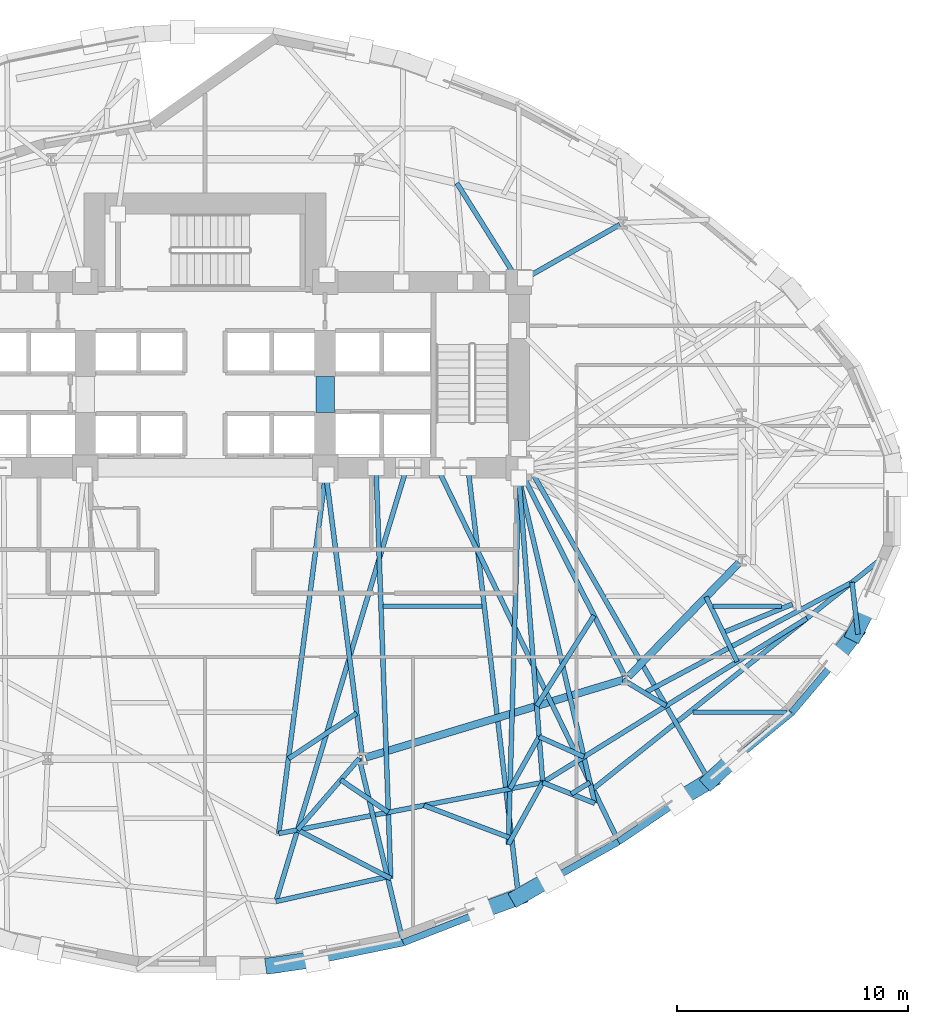
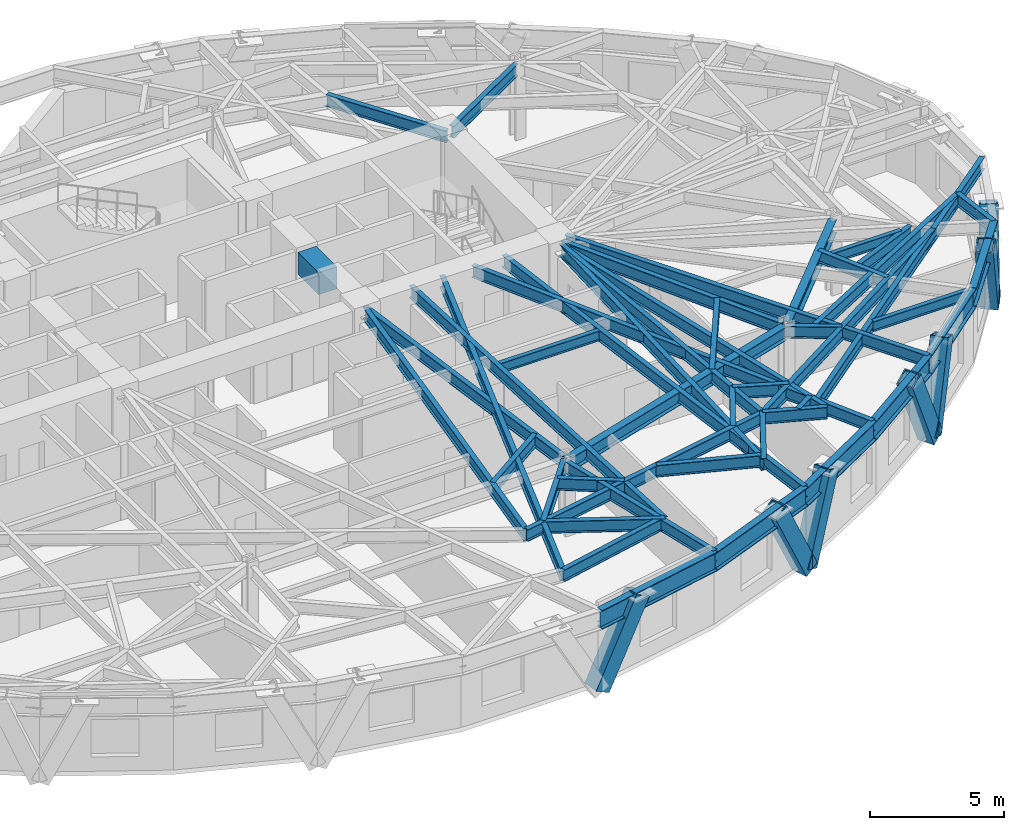
# One storey, part 4 of 17: 46 beams, 7 members.
"""IFC4 building model written with IfcOpenShell, lengths in metres."""

from ifc_helpers import new_model, si_unit, direction, frame, origin, origin_2d, place, context, subcontext, project, spatial, rectangle, hollow_rectangle, i_section, extrude, material, material_profile, profile_set, type_object, element, save


model = new_model("IFC4")

# Units and contexts
model_context = context("Model", 3, precision=1e-05, world=origin(), true_north=direction((0.0, 1.0)))
body_context = subcontext(model_context, "Body", "Model", "MODEL_VIEW")
ifc_project = project(units=[si_unit("LENGTHUNIT", "METRE"), si_unit("AREAUNIT", "SQUARE_METRE"), si_unit("VOLUMEUNIT", "CUBIC_METRE"), si_unit("PLANEANGLEUNIT", "RADIAN"), si_unit("MASSUNIT", "GRAM", prefix="KILO")], contexts=[model_context])

# Site, building, storey
site_placement = place(None, origin())
site = spatial("IfcSite", under=ifc_project, at=site_placement, CompositionType="ELEMENT")
building_placement = place(site_placement, origin())
building = spatial("IfcBuilding", under=site, at=building_placement, Name="Keldmark Tower", CompositionType="ELEMENT")
storey_placement = place(building_placement, frame((0.0, 0.0, 70.199951171875)))
storey = spatial("IfcBuildingStorey", under=building, at=storey_placement, Name="L18", CompositionType="ELEMENT", Elevation=70.199951171875)

# Beams
ifc_material_1 = material(Name="Steel ASTM A992 Grade 50", Category="steel")
ifc_material_profile_1 = material_profile(ifc_material_1, i_section(OverallWidth=0.19091796875, OverallDepth=0.45703125, WebThickness=0.009033203125, FlangeThickness=0.014404296875, at=origin_2d()), Name="W18X50")
ifc_profile_set_1 = profile_set([ifc_material_profile_1], Name="Steel ASTM A992 Grade 50")
beam_type_1 = type_object("IfcBeamType", Name="Composite Floor Joist W18X50", PredefinedType="JOIST", material=ifc_profile_set_1)
beam_1_placement = place(storey_placement, frame((21.13818359375, -9.199951171875, 3.171630859375), z_axis=(1.0, 0.0, 0.0), x_axis=(0.0, 1.0, 0.0)))
element("IfcBeam", 1, at=beam_1_placement, inside=storey, type_object=beam_type_1, Name="L18 Composite Floor Joist J07", PredefinedType="JOIST", context=body_context, shape_type="SweptSolid", body=[
    extrude(i_section(OverallWidth=0.19091796875, OverallDepth=0.45703125, WebThickness=0.009033203125, FlangeThickness=0.014404296875, at=origin_2d()), origin(), (0.0, 0.0, 1.0), 4.08740234375),
])
beam_2_placement = place(storey_placement, frame((7.71826171875, -4.60009765625, 3.171630859375), z_axis=(1.0, 0.0, 0.0), x_axis=(0.0, 1.0, 0.0)))
element("IfcBeam", 2, at=beam_2_placement, inside=storey, type_object=beam_type_1, Name="L18 Composite Floor Joist J13", PredefinedType="JOIST", context=body_context, shape_type="SweptSolid", body=[
    extrude(i_section(OverallWidth=0.19091796875, OverallDepth=0.45703125, WebThickness=0.009033203125, FlangeThickness=0.014404296875, at=origin_2d()), origin(), (0.0, 0.0, 1.0), 4.28515625),
])
beam_3_placement = place(storey_placement, frame((22.014892578125, -4.60009765625, 3.171630859375), z_axis=(1.0, 0.0, 0.0), x_axis=(0.0, 1.0, 0.0)))
element("IfcBeam", 3, at=beam_3_placement, inside=storey, type_object=beam_type_1, Name="L18 Composite Floor Joist J15", PredefinedType="JOIST", context=body_context, shape_type="SweptSolid", body=[
    extrude(i_section(OverallWidth=0.19091796875, OverallDepth=0.45703125, WebThickness=0.009033203125, FlangeThickness=0.014404296875, at=origin_2d()), origin(), (0.0, 0.0, 1.0), 2.971435546875),
])
ifc_material_2 = material(Name="Concrete C70/85", Category="concrete")
ifc_material_profile_2 = material_profile(ifc_material_2, rectangle(XDim=0.800048828125, YDim=1.0, at=origin_2d()), Name="RCB800X1000")
ifc_profile_set_2 = profile_set([ifc_material_profile_2], Name="Concrete C70/85")
beam_type_2 = type_object("IfcBeamType", Name="Core Coupling Beam RCB800X1000", PredefinedType="USERDEFINED", material=ifc_profile_set_2)
beam_4_placement = place(storey_placement, frame((5.199951171875, 3.800048828125, 2.900146484375), z_axis=(0.0, 1.0, 0.0), x_axis=(-1.0, 0.0, 0.0)))
element("IfcBeam", 4, at=beam_4_placement, inside=storey, type_object=beam_type_2, Name="L18 East Core Coupling Beam", ObjectType="COUPLING BEAM", PredefinedType="USERDEFINED", context=body_context, shape_type="SweptSolid", body=[
    extrude(rectangle(XDim=0.800048828125, YDim=1.0, at=origin_2d()), origin(), (0.0, 0.0, 1.0), 1.550048828125),
])

# Members
ifc_material_3 = material(Name="Steel ASTM A572 Grade 50", Category="steel")
ifc_material_profile_3 = material_profile(ifc_material_3, hollow_rectangle(XDim=0.699951171875, YDim=0.699951171875, WallThickness=0.054931640625, at=origin_2d()), Name="BOX700X700X55")
ifc_profile_set_3 = profile_set([ifc_material_profile_3], Name="Steel ASTM A572 Grade 50")
member_type = type_object("IfcMemberType", Name="Diagrid Zone 1 Brace BOX700X700X55", PredefinedType="BRACE", material=ifc_profile_set_3)
member_1_placement = place(storey_placement, frame((2.9326171875, -20.171142578125, -0.280029296875), z_axis=(0.468392717126, 0.067180794717, 0.880962543678), x_axis=(-0.141975446888, 0.98987017961, 0.0)))
element("IfcMember", 5, at=member_1_placement, inside=storey, type_object=member_type, Name="L18 Perimeter Diagrid Brace 13A", PredefinedType="BRACE", context=body_context, shape_type="SweptSolid", body=[
    extrude(hollow_rectangle(XDim=0.699951171875, YDim=0.699951171875, WallThickness=0.054931640625, at=origin_2d()), origin(), (0.0, 0.0, 1.0), 4.041015625),
])
member_2_placement = place(storey_placement, frame((13.5888671875, -17.203369140625, -0.280029296875), z_axis=(-0.422417962275, -0.157679853763, 0.892580600767), x_axis=(0.349709682437, -0.936858120534, 0.0)))
element("IfcMember", 6, at=member_2_placement, inside=storey, type_object=member_type, Name="L18 Perimeter Diagrid Brace 13B", PredefinedType="BRACE", context=body_context, shape_type="SweptSolid", body=[
    extrude(hollow_rectangle(XDim=0.699951171875, YDim=0.699951171875, WallThickness=0.054931640625, at=origin_2d()), origin(), (0.0, 0.0, 1.0), 3.988525390625),
])
member_3_placement = place(storey_placement, frame((13.577880859375, -17.2080078125, -0.280029296875), z_axis=(0.363891800092, 0.211741485045, 0.907054739989), x_axis=(-0.502933716721, 0.864324983201, 0.0)))
element("IfcMember", 7, at=member_3_placement, inside=storey, type_object=member_type, Name="L18 Perimeter Diagrid Brace 14A", PredefinedType="BRACE", context=body_context, shape_type="SweptSolid", body=[
    extrude(hollow_rectangle(XDim=0.699951171875, YDim=0.699951171875, WallThickness=0.054931640625, at=origin_2d()), origin(), (0.0, 0.0, 1.0), 3.9248046875),
])
member_4_placement = place(storey_placement, frame((21.894775390625, -12.158935546875, -0.280029296875), z_axis=(-0.357637739719, -0.212587106313, 0.909341503154), x_axis=(0.510964651857, -0.859601724377, 0.0)))
element("IfcMember", 8, at=member_4_placement, inside=storey, type_object=member_type, Name="L18 Perimeter Diagrid Brace 14B", PredefinedType="BRACE", context=body_context, shape_type="SweptSolid", body=[
    extrude(hollow_rectangle(XDim=0.699951171875, YDim=0.699951171875, WallThickness=0.054931640625, at=origin_2d()), origin(), (0.0, 0.0, 1.0), 3.9150390625),
])
member_5_placement = place(storey_placement, frame((21.886474609375, -12.167236328125, -0.280029296875), z_axis=(0.284762912744, 0.266831057485, 0.920712371095), x_axis=(-0.68375811759, 0.729708734106, 0.0)))
element("IfcMember", 9, at=member_5_placement, inside=storey, type_object=member_type, Name="L18 Perimeter Diagrid Brace 15A", PredefinedType="BRACE", context=body_context, shape_type="SweptSolid", body=[
    extrude(hollow_rectangle(XDim=0.699951171875, YDim=0.699951171875, WallThickness=0.054931640625, at=origin_2d()), origin(), (0.0, 0.0, 1.0), 3.86669921875),
])
member_6_placement = place(storey_placement, frame((28.1669921875, -5.7763671875, -0.280029296875), z_axis=(-0.229046719928, -0.298618469809, 0.926479686544), x_axis=(0.793470479342, -0.608608740006, 0.0)))
element("IfcMember", 10, at=member_6_placement, inside=storey, type_object=member_type, Name="L18 Perimeter Diagrid Brace 15B", PredefinedType="BRACE", context=body_context, shape_type="SweptSolid", body=[
    extrude(hollow_rectangle(XDim=0.699951171875, YDim=0.699951171875, WallThickness=0.054931640625, at=origin_2d()), origin(), (0.0, 0.0, 1.0), 3.842529296875),
])
member_7_placement = place(storey_placement, frame((28.16259765625, -5.787109375, -0.280029296875), z_axis=(0.168600642069, 0.328022269977, 0.929502670191), x_axis=(-0.889394222304, 0.45714102565, 0.0)))
element("IfcMember", 11, at=member_7_placement, inside=storey, type_object=member_type, Name="L18 Perimeter Diagrid Brace 16A", PredefinedType="BRACE", context=body_context, shape_type="SweptSolid", body=[
    extrude(hollow_rectangle(XDim=0.699951171875, YDim=0.699951171875, WallThickness=0.054931640625, at=origin_2d()), origin(), (0.0, 0.0, 1.0), 3.830078125),
])

# Beams
ifc_material_4 = material(Name="Steel ASTM A992 Grade 50", Category="steel")
ifc_material_profile_4 = material_profile(ifc_material_4, i_section(OverallWidth=0.323974609375, OverallDepth=0.611083984375, WebThickness=0.0126953125, FlangeThickness=0.01904296875, at=origin_2d()), Name="W24X104")
ifc_profile_set_4 = profile_set([ifc_material_profile_4], Name="Steel ASTM A992 Grade 50")
beam_type_3 = type_object("IfcBeamType", Name="Primary Floor Girder W24X104", PredefinedType="BEAM", material=ifc_profile_set_4)
beam_5_placement = place(storey_placement, frame((6.9560546875, -11.165283203125, 3.094482421875), z_axis=(0.957346071406, 0.2889437654, 0.0), x_axis=(-0.2889437654, 0.957346071406, 0.0)))
element("IfcBeam", 12, at=beam_5_placement, inside=storey, type_object=beam_type_3, Name="L18 Floor Ring Girder FG-R10", PredefinedType="BEAM", context=body_context, shape_type="SweptSolid", body=[
    extrude(i_section(OverallWidth=0.323974609375, OverallDepth=0.611083984375, WebThickness=0.0126953125, FlangeThickness=0.01904296875, at=origin_2d()), origin(), (0.0, 0.0, 1.0), 11.66015625),
])
beam_6_placement = place(storey_placement, frame((18.350341796875, -7.6552734375, 3.094482421875), z_axis=(0.697210382268, 0.716866572563, 0.0), x_axis=(-0.716866572563, 0.697210382268, 0.0)))
element("IfcBeam", 13, at=beam_6_placement, inside=storey, type_object=beam_type_3, Name="L18 Floor Ring Girder FG-R11", PredefinedType="BEAM", context=body_context, shape_type="SweptSolid", body=[
    extrude(i_section(OverallWidth=0.323974609375, OverallDepth=0.611083984375, WebThickness=0.0126953125, FlangeThickness=0.01904296875, at=origin_2d()), origin(), (0.0, 0.0, 1.0), 6.893310546875),
])
ifc_material_5 = material(Name="Steel ASTM A992 Grade 50", Category="steel")
ifc_material_profile_5 = material_profile(ifc_material_5, i_section(OverallWidth=0.2099609375, OverallDepth=0.537109375, WebThickness=0.010986328125, FlangeThickness=0.017333984375, at=origin_2d()), Name="W21X68")
ifc_profile_set_5 = profile_set([ifc_material_profile_5], Name="Steel ASTM A992 Grade 50")
beam_type_4 = type_object("IfcBeamType", Name="Radial Tie Girder W21X68", PredefinedType="BEAM", material=ifc_profile_set_5)
beam_7_placement = place(storey_placement, frame((13.60009765625, 9.449951171875, 3.131591796875), z_axis=(-0.531273192501, 0.84720056358, 0.0), x_axis=(-0.84720056358, -0.531273192501, 0.0)))
element("IfcBeam", 14, at=beam_7_placement, inside=storey, type_object=beam_type_4, Name="L18 Framing Pin Header PH-002", PredefinedType="BEAM", context=body_context, shape_type="SweptSolid", body=[
    extrude(i_section(OverallWidth=0.2099609375, OverallDepth=0.537109375, WebThickness=0.010986328125, FlangeThickness=0.017333984375, at=origin_2d()), origin(), (0.0, 0.0, 1.0), 5.060791015625),
])
beam_8_placement = place(storey_placement, frame((6.569580078125, -9.24462890625, 3.131591796875), z_axis=(-0.833371108032, -0.552713846666, 0.0), x_axis=(0.552713846666, -0.833371108032, 0.0)))
element("IfcBeam", 15, at=beam_8_placement, inside=storey, type_object=beam_type_4, Name="L18 Framing Pin Header PH-008", PredefinedType="BEAM", context=body_context, shape_type="SweptSolid", body=[
    extrude(i_section(OverallWidth=0.2099609375, OverallDepth=0.537109375, WebThickness=0.010986328125, FlangeThickness=0.017333984375, at=origin_2d()), origin(), (0.0, 0.0, 1.0), 3.54833984375),
])
beam_9_placement = place(storey_placement, frame((5.199951171875, 0.949951171875, 3.131591796875), z_axis=(-0.129482944902, -0.991581649174, 0.0), x_axis=(0.991581649174, -0.129482944902, 0.0)))
element("IfcBeam", 16, at=beam_9_placement, inside=storey, type_object=beam_type_4, Name="L18 Sub-Ring Step Girder STP2-M10", PredefinedType="BEAM", context=body_context, shape_type="SweptSolid", body=[
    extrude(i_section(OverallWidth=0.2099609375, OverallDepth=0.537109375, WebThickness=0.010986328125, FlangeThickness=0.017333984375, at=origin_2d()), origin(), (0.0, 0.0, 1.0), 15.53662109375),
])
beam_10_placement = place(storey_placement, frame((16.856201171875, -5.007080078125, 3.131591796875), z_axis=(-0.535158477485, -0.844751681843, 0.0), x_axis=(0.844751681843, -0.535158477485, 0.0)))
element("IfcBeam", 17, at=beam_10_placement, inside=storey, type_object=beam_type_4, Name="L18 Framing Pin Header PH-009", PredefinedType="BEAM", context=body_context, shape_type="SweptSolid", body=[
    extrude(i_section(OverallWidth=0.2099609375, OverallDepth=0.537109375, WebThickness=0.010986328125, FlangeThickness=0.017333984375, at=origin_2d()), origin(), (0.0, 0.0, 1.0), 4.64013671875),
])
beam_11_placement = place(storey_placement, frame((13.60009765625, 0.949951171875, 3.131591796875), z_axis=(0.078019749069, -0.996951813658, 0.0), x_axis=(0.996951813658, 0.078019749069, 0.0)))
element("IfcBeam", 18, at=beam_11_placement, inside=storey, type_object=beam_type_4, Name="L18 Sub-Ring Step Girder STP2-M11", PredefinedType="BEAM", context=body_context, shape_type="SweptSolid", body=[
    extrude(i_section(OverallWidth=0.2099609375, OverallDepth=0.537109375, WebThickness=0.010986328125, FlangeThickness=0.017333984375, at=origin_2d()), origin(), (0.0, 0.0, 1.0), 13.2333984375),
])
beam_12_placement = place(storey_placement, frame((3.188232421875, -14.455810546875, 3.131591796875), z_axis=(0.981818023355, 0.189824574317, 0.0), x_axis=(-0.189824574317, 0.981818023355, 0.0)))
element("IfcBeam", 19, at=beam_12_placement, inside=storey, type_object=beam_type_4, Name="L18 Perimeter Collector Ring Beam CRG2-M10", PredefinedType="BEAM", context=body_context, shape_type="SweptSolid", body=[
    extrude(i_section(OverallWidth=0.2099609375, OverallDepth=0.537109375, WebThickness=0.010986328125, FlangeThickness=0.017333984375, at=origin_2d()), origin(), (0.0, 0.0, 1.0), 11.65625),
])
beam_13_placement = place(storey_placement, frame((14.632568359375, -12.2431640625, 3.131591796875), z_axis=(0.849493171541, 0.527599612874, 0.0), x_axis=(-0.527599612874, 0.849493171541, 0.0)))
element("IfcBeam", 20, at=beam_13_placement, inside=storey, type_object=beam_type_4, Name="L18 Perimeter Collector Ring Beam CRG2-M11", PredefinedType="BEAM", context=body_context, shape_type="SweptSolid", body=[
    extrude(i_section(OverallWidth=0.2099609375, OverallDepth=0.537109375, WebThickness=0.010986328125, FlangeThickness=0.017333984375, at=origin_2d()), origin(), (0.0, 0.0, 1.0), 13.475341796875),
])
beam_14_placement = place(storey_placement, frame((6.68212890625, -11.205810546875, 3.131591796875), z_axis=(-0.654368865478, -0.756175500722, 0.0), x_axis=(0.756175500722, -0.654368865478, 0.0)))
element("IfcBeam", 21, at=beam_14_placement, inside=storey, type_object=beam_type_4, Name="L18 Framing Pin Header PH-034", PredefinedType="BEAM", context=body_context, shape_type="SweptSolid", body=[
    extrude(i_section(OverallWidth=0.2099609375, OverallDepth=0.537109375, WebThickness=0.010986328125, FlangeThickness=0.017333984375, at=origin_2d()), origin(), (0.0, 0.0, 1.0), 4.088623046875),
])
beam_15_placement = place(storey_placement, frame((8.735595703125, 1.39990234375, 3.131591796875), z_axis=(-0.28845305272, -0.957494039865, 0.0), x_axis=(0.957494039865, -0.28845305272, 0.0)))
element("IfcBeam", 22, at=beam_15_placement, inside=storey, type_object=beam_type_4, Name="L18 Intermediate Radial Step Girder RT-25M", PredefinedType="BEAM", context=body_context, shape_type="SweptSolid", body=[
    extrude(i_section(OverallWidth=0.2099609375, OverallDepth=0.537109375, WebThickness=0.010986328125, FlangeThickness=0.017333984375, at=origin_2d()), origin(), (0.0, 0.0, 1.0), 19.63525390625),
])
beam_16_placement = place(storey_placement, frame((5.87939453125, -12.13330078125, 3.131591796875), z_axis=(0.826897386092, -0.562352836637, 0.0), x_axis=(0.562352836637, 0.826897386092, 0.0)))
element("IfcBeam", 23, at=beam_16_placement, inside=storey, type_object=beam_type_4, Name="L18 Framing Pin Header PH-035", PredefinedType="BEAM", context=body_context, shape_type="SweptSolid", body=[
    extrude(i_section(OverallWidth=0.2099609375, OverallDepth=0.537109375, WebThickness=0.010986328125, FlangeThickness=0.017333984375, at=origin_2d()), origin(), (0.0, 0.0, 1.0), 2.495361328125),
])
beam_17_placement = place(storey_placement, frame((7.406982421875, 1.39990234375, 3.131591796875), z_axis=(0.035849413007, -0.9993572032, 0.0), x_axis=(0.9993572032, 0.035849413007, 0.0)))
element("IfcBeam", 24, at=beam_17_placement, inside=storey, type_object=beam_type_4, Name="L18 Intermediate Radial Step Girder RT-26M", PredefinedType="BEAM", context=body_context, shape_type="SweptSolid", body=[
    extrude(i_section(OverallWidth=0.2099609375, OverallDepth=0.537109375, WebThickness=0.010986328125, FlangeThickness=0.017333984375, at=origin_2d()), origin(), (0.0, 0.0, 1.0), 17.8154296875),
])
beam_18_placement = place(storey_placement, frame((4.006591796875, -14.297607421875, 3.131591796875), z_axis=(0.886665104904, -0.462412144893, 0.0), x_axis=(0.462412144893, 0.886665104904, 0.0)))
element("IfcBeam", 25, at=beam_18_placement, inside=storey, type_object=beam_type_4, Name="L18 Local Collector Chord RT-26C", PredefinedType="BEAM", context=body_context, shape_type="SweptSolid", body=[
    extrude(i_section(OverallWidth=0.2099609375, OverallDepth=0.537109375, WebThickness=0.010986328125, FlangeThickness=0.017333984375, at=origin_2d()), origin(), (0.0, 0.0, 1.0), 4.555419921875),
])
beam_19_placement = place(storey_placement, frame((3.07177734375, -17.400634765625, 3.131591796875), z_axis=(0.97629490184, 0.216444599473, 0.0), x_axis=(-0.216444599473, 0.97629490184, 0.0)))
element("IfcBeam", 26, at=beam_19_placement, inside=storey, type_object=beam_type_4, Name="L18 Framing Pin Header PH-036", PredefinedType="BEAM", context=body_context, shape_type="SweptSolid", body=[
    extrude(i_section(OverallWidth=0.2099609375, OverallDepth=0.537109375, WebThickness=0.010986328125, FlangeThickness=0.017333984375, at=origin_2d()), origin(), (0.0, 0.0, 1.0), 4.9482421875),
])
beam_20_placement = place(storey_placement, frame((6.68212890625, -11.205810546875, 3.131591796875), z_axis=(0.23175997651, -0.972773001932, 0.0), x_axis=(0.972773001932, 0.23175997651, 0.0)))
element("IfcBeam", 27, at=beam_20_placement, inside=storey, type_object=beam_type_4, Name="L18 Perimeter Radial Tie Girder RT-26", PredefinedType="BEAM", context=body_context, shape_type="SweptSolid", body=[
    extrude(i_section(OverallWidth=0.2099609375, OverallDepth=0.537109375, WebThickness=0.010986328125, FlangeThickness=0.017333984375, at=origin_2d()), origin(), (0.0, 0.0, 1.0), 8.205078125),
])
beam_21_placement = place(storey_placement, frame((14.4775390625, -10.26416015625, 3.131591796875), z_axis=(-0.489480564124, -0.872014207077, 0.0), x_axis=(0.872014207077, -0.489480564124, 0.0)))
element("IfcBeam", 28, at=beam_21_placement, inside=storey, type_object=beam_type_4, Name="L18 Framing Pin Header PH-037", PredefinedType="BEAM", context=body_context, shape_type="SweptSolid", body=[
    extrude(i_section(OverallWidth=0.2099609375, OverallDepth=0.537109375, WebThickness=0.010986328125, FlangeThickness=0.017333984375, at=origin_2d()), origin(), (0.0, 0.0, 1.0), 2.584228515625),
])
beam_22_placement = place(storey_placement, frame((13.60009765625, 0.949951171875, 3.131591796875), z_axis=(-0.028754575494, -0.999586501704, 0.0), x_axis=(0.999586501704, -0.028754575494, 0.0)))
element("IfcBeam", 29, at=beam_22_placement, inside=storey, type_object=beam_type_4, Name="L18 Intermediate Radial Step Girder RT-27M", PredefinedType="BEAM", context=body_context, shape_type="SweptSolid", body=[
    extrude(i_section(OverallWidth=0.2099609375, OverallDepth=0.537109375, WebThickness=0.010986328125, FlangeThickness=0.017333984375, at=origin_2d()), origin(), (0.0, 0.0, 1.0), 15.8857421875),
])
beam_23_placement = place(storey_placement, frame((14.632568359375, -12.2431640625, 3.131591796875), z_axis=(-0.484900332074, -0.874569418603, 0.0), x_axis=(0.874569418603, -0.484900332074, 0.0)))
element("IfcBeam", 30, at=beam_23_placement, inside=storey, type_object=beam_type_4, Name="L18 Local Collector Chord RT-27C", PredefinedType="BEAM", context=body_context, shape_type="SweptSolid", body=[
    extrude(i_section(OverallWidth=0.2099609375, OverallDepth=0.537109375, WebThickness=0.010986328125, FlangeThickness=0.017333984375, at=origin_2d()), origin(), (0.0, 0.0, 1.0), 3.0712890625),
])
beam_24_placement = place(storey_placement, frame((9.482666015625, -13.239013671875, 3.131591796875), z_axis=(0.936012853696, -0.351965818959, 0.0), x_axis=(0.351965818959, 0.936012853696, 0.0)))
element("IfcBeam", 31, at=beam_24_placement, inside=storey, type_object=beam_type_4, Name="L18 Framing Pin Header PH-038", PredefinedType="BEAM", context=body_context, shape_type="SweptSolid", body=[
    extrude(i_section(OverallWidth=0.2099609375, OverallDepth=0.537109375, WebThickness=0.010986328125, FlangeThickness=0.017333984375, at=origin_2d()), origin(), (0.0, 0.0, 1.0), 4.064697265625),
])
beam_25_placement = place(storey_placement, frame((11.392822265625, 1.39990234375, 3.131591796875), z_axis=(0.117075947287, -0.993122964475, 0.0), x_axis=(0.993122964475, 0.117075947287, 0.0)))
element("IfcBeam", 32, at=beam_25_placement, inside=storey, type_object=beam_type_4, Name="L18 Perimeter Radial Tie Girder RT-27", PredefinedType="BEAM", context=body_context, shape_type="SweptSolid", body=[
    extrude(i_section(OverallWidth=0.2099609375, OverallDepth=0.537109375, WebThickness=0.010986328125, FlangeThickness=0.017333984375, at=origin_2d()), origin(), (0.0, 0.0, 1.0), 18.77001953125),
])
beam_26_placement = place(storey_placement, frame((14.4775390625, -10.26416015625, 3.131591796875), z_axis=(0.912786736671, -0.408436498561, 0.0), x_axis=(0.408436498561, 0.912786736671, 0.0)))
element("IfcBeam", 33, at=beam_26_placement, inside=storey, type_object=beam_type_4, Name="L18 Framing Pin Header PH-039", PredefinedType="BEAM", context=body_context, shape_type="SweptSolid", body=[
    extrude(i_section(OverallWidth=0.2099609375, OverallDepth=0.537109375, WebThickness=0.010986328125, FlangeThickness=0.017333984375, at=origin_2d()), origin(), (0.0, 0.0, 1.0), 2.1279296875),
])
beam_27_placement = place(storey_placement, frame((13.60009765625, 0.949951171875, 3.131591796875), z_axis=(0.227253610166, -0.973835610699, 0.0), x_axis=(0.973835610699, 0.227253610166, 0.0)))
element("IfcBeam", 34, at=beam_27_placement, inside=storey, type_object=beam_type_4, Name="L18 Intermediate Radial Step Girder RT-28M", PredefinedType="BEAM", context=body_context, shape_type="SweptSolid", body=[
    extrude(i_section(OverallWidth=0.2099609375, OverallDepth=0.537109375, WebThickness=0.010986328125, FlangeThickness=0.017333984375, at=origin_2d()), origin(), (0.0, 0.0, 1.0), 14.47412109375),
])
beam_28_placement = place(storey_placement, frame((14.632568359375, -12.2431640625, 3.131591796875), z_axis=(0.928532099585, -0.371252124628, 0.0), x_axis=(0.371252124628, 0.928532099585, 0.0)))
element("IfcBeam", 35, at=beam_28_placement, inside=storey, type_object=beam_type_4, Name="L18 Local Collector Chord RT-28C", PredefinedType="BEAM", context=body_context, shape_type="SweptSolid", body=[
    extrude(i_section(OverallWidth=0.2099609375, OverallDepth=0.537109375, WebThickness=0.010986328125, FlangeThickness=0.017333984375, at=origin_2d()), origin(), (0.0, 0.0, 1.0), 2.430419921875),
])
beam_29_placement = place(storey_placement, frame((15.873779296875, -12.739501953125, 3.131591796875), z_axis=(0.851906478272, 0.523693949056, 0.0), x_axis=(-0.523693949056, 0.851906478272, 0.0)))
element("IfcBeam", 36, at=beam_29_placement, inside=storey, type_object=beam_type_4, Name="L18 Framing Pin Header PH-040", PredefinedType="BEAM", context=body_context, shape_type="SweptSolid", body=[
    extrude(i_section(OverallWidth=0.2099609375, OverallDepth=0.537109375, WebThickness=0.010986328125, FlangeThickness=0.017333984375, at=origin_2d()), origin(), (0.0, 0.0, 1.0), 0.9453125),
])
beam_30_placement = place(storey_placement, frame((10.064208984375, 1.39990234375, 3.131591796875), z_axis=(0.436250227693, -0.899825393528, 0.0), x_axis=(0.899825393528, 0.436250227693, 0.0)))
element("IfcBeam", 37, at=beam_30_placement, inside=storey, type_object=beam_type_4, Name="L18 Perimeter Radial Tie Girder RT-28", PredefinedType="BEAM", context=body_context, shape_type="SweptSolid", body=[
    extrude(i_section(OverallWidth=0.2099609375, OverallDepth=0.537109375, WebThickness=0.010986328125, FlangeThickness=0.017333984375, at=origin_2d()), origin(), (0.0, 0.0, 1.0), 18.012451171875),
])
beam_31_placement = place(storey_placement, frame((18.118896484375, -7.796142578125, 3.131591796875), z_axis=(0.855894848565, -0.517149889491, 0.0), x_axis=(0.517149889491, 0.855894848565, 0.0)))
element("IfcBeam", 38, at=beam_31_placement, inside=storey, type_object=beam_type_4, Name="L18 Framing Pin Header PH-041", PredefinedType="BEAM", context=body_context, shape_type="SweptSolid", body=[
    extrude(i_section(OverallWidth=0.2099609375, OverallDepth=0.537109375, WebThickness=0.010986328125, FlangeThickness=0.017333984375, at=origin_2d()), origin(), (0.0, 0.0, 1.0), 2.17578125),
])
beam_32_placement = place(storey_placement, frame((14.050048828125, 1.39990234375, 3.131591796875), z_axis=(0.498250136674, -0.867033333445, 0.0), x_axis=(0.867033333445, 0.498250136674, 0.0)))
element("IfcBeam", 39, at=beam_32_placement, inside=storey, type_object=beam_type_4, Name="L18 Perimeter Radial Tie Girder RT-29", PredefinedType="BEAM", context=body_context, shape_type="SweptSolid", body=[
    extrude(i_section(OverallWidth=0.2099609375, OverallDepth=0.537109375, WebThickness=0.010986328125, FlangeThickness=0.017333984375, at=origin_2d()), origin(), (0.0, 0.0, 1.0), 15.630859375),
])
beam_33_placement = place(storey_placement, frame((21.714599609375, -4.196044921875, 3.131591796875), z_axis=(0.431801774211, -0.901968529267, 0.0), x_axis=(0.901968529267, 0.431801774211, 0.0)))
element("IfcBeam", 40, at=beam_33_placement, inside=storey, type_object=beam_type_4, Name="L18 Framing Pin Header PH-042", PredefinedType="BEAM", context=body_context, shape_type="SweptSolid", body=[
    extrude(i_section(OverallWidth=0.2099609375, OverallDepth=0.537109375, WebThickness=0.010986328125, FlangeThickness=0.017333984375, at=origin_2d()), origin(), (0.0, 0.0, 1.0), 3.1181640625),
])
beam_34_placement = place(storey_placement, frame((22.455078125, -5.742919921875, 3.131591796875), z_axis=(0.925512212934, 0.378717762601, 0.0), x_axis=(-0.378717762601, 0.925512212934, 0.0)))
element("IfcBeam", 41, at=beam_34_placement, inside=storey, type_object=beam_type_4, Name="L18 Framing Pin Header PH-043", PredefinedType="BEAM", context=body_context, shape_type="SweptSolid", body=[
    extrude(i_section(OverallWidth=0.2099609375, OverallDepth=0.537109375, WebThickness=0.010986328125, FlangeThickness=0.017333984375, at=origin_2d()), origin(), (0.0, 0.0, 1.0), 3.24658203125),
])
beam_35_placement = place(storey_placement, frame((19.050048828125, -8.358642578125, 3.131591796875), z_axis=(0.882583676454, 0.470155350982, 0.0), x_axis=(-0.470155350982, 0.882583676454, 0.0)))
element("IfcBeam", 42, at=beam_35_placement, inside=storey, type_object=beam_type_4, Name="L18 Intermediate Radial Step Girder RT-32M", PredefinedType="BEAM", context=body_context, shape_type="SweptSolid", body=[
    extrude(i_section(OverallWidth=0.2099609375, OverallDepth=0.537109375, WebThickness=0.010986328125, FlangeThickness=0.017333984375, at=origin_2d()), origin(), (0.0, 0.0, 1.0), 10.188232421875),
])
beam_36_placement = place(storey_placement, frame((28.296630859375, -5.8203125, 3.131591796875), z_axis=(-0.112370597499, 0.993666366955, 0.0), x_axis=(-0.993666366955, -0.112370597499, 0.0)))
element("IfcBeam", 43, at=beam_36_placement, inside=storey, type_object=beam_type_4, Name="L18 Local Collector Chord RT-32C", PredefinedType="BEAM", context=body_context, shape_type="SweptSolid", body=[
    extrude(i_section(OverallWidth=0.2099609375, OverallDepth=0.537109375, WebThickness=0.010986328125, FlangeThickness=0.017333984375, at=origin_2d()), origin(), (0.0, 0.0, 1.0), 2.26611328125),
])
beam_37_placement = place(storey_placement, frame((16.814453125, -12.5234375, 3.131591796875), z_axis=(0.781799736716, 0.623529607693, 0.0), x_axis=(-0.623529607693, 0.781799736716, 0.0)))
element("IfcBeam", 44, at=beam_37_placement, inside=storey, type_object=beam_type_4, Name="L18 Perimeter Radial Tie Girder RT-32R", PredefinedType="BEAM", context=body_context, shape_type="SweptSolid", body=[
    extrude(i_section(OverallWidth=0.2099609375, OverallDepth=0.537109375, WebThickness=0.010986328125, FlangeThickness=0.017333984375, at=origin_2d()), origin(), (0.0, 0.0, 1.0), 16.870849609375),
])
ifc_material_6 = material(Name="Steel ASTM A992 Grade 50", Category="steel")
ifc_material_profile_6 = material_profile(ifc_material_6, i_section(OverallWidth=0.214111328125, OverallDepth=0.549072265625, WebThickness=0.0146484375, FlangeThickness=0.023681640625, at=origin_2d()), Name="W21X93")
ifc_profile_set_6 = profile_set([ifc_material_profile_6], Name="Steel ASTM A992 Grade 50")
beam_type_5 = type_object("IfcBeamType", Name="Radial Tie Girder W21X93", PredefinedType="BEAM", material=ifc_profile_set_6)
beam_38_placement = place(storey_placement, frame((17.97607421875, 11.938232421875, 3.12548828125), z_axis=(-0.869299282131, -0.494286109542, 0.0), x_axis=(0.494286109542, -0.869299282131, 0.0)))
element("IfcBeam", 45, at=beam_38_placement, inside=storey, type_object=beam_type_5, Name="L18 Floor Radial Girder FG-C02", PredefinedType="BEAM", context=body_context, shape_type="SweptSolid", body=[
    extrude(i_section(OverallWidth=0.214111328125, OverallDepth=0.549072265625, WebThickness=0.0146484375, FlangeThickness=0.023681640625, at=origin_2d()), origin(), (0.0, 0.0, 1.0), 4.714111328125),
])
beam_39_placement = place(storey_placement, frame((6.80419921875, -11.06689453125, 3.12548828125), z_axis=(-0.127634898593, 0.99182122011, 0.0), x_axis=(-0.99182122011, -0.127634898593, 0.0)))
element("IfcBeam", 46, at=beam_39_placement, inside=storey, type_object=beam_type_5, Name="L18 Floor Radial Girder FG-C10", PredefinedType="BEAM", context=body_context, shape_type="SweptSolid", body=[
    extrude(i_section(OverallWidth=0.214111328125, OverallDepth=0.549072265625, WebThickness=0.0146484375, FlangeThickness=0.023681640625, at=origin_2d()), origin(), (0.0, 0.0, 1.0), 12.24951171875),
])
beam_40_placement = place(storey_placement, frame((18.189453125, -7.630859375, 3.12548828125), z_axis=(-0.453037526986, 0.891491446478, 0.0), x_axis=(-0.891491446478, -0.453037526986, 0.0)))
element("IfcBeam", 47, at=beam_40_placement, inside=storey, type_object=beam_type_5, Name="L18 Floor Radial Girder FG-C11", PredefinedType="BEAM", context=body_context, shape_type="SweptSolid", body=[
    extrude(i_section(OverallWidth=0.214111328125, OverallDepth=0.549072265625, WebThickness=0.0146484375, FlangeThickness=0.023681640625, at=origin_2d()), origin(), (0.0, 0.0, 1.0), 9.81005859375),
])
ifc_material_7 = material(Name="Steel ASTM A992 Grade 50", Category="steel")
ifc_material_profile_7 = material_profile(ifc_material_7, i_section(OverallWidth=0.2919921875, OverallDepth=0.85888671875, WebThickness=0.01708984375, FlangeThickness=0.031005859375, at=origin_2d()), Name="W33X169")
ifc_profile_set_7 = profile_set([ifc_material_profile_7], Name="Steel ASTM A992 Grade 50")
beam_type_6 = type_object("IfcBeamType", Name="Spandrel Ring Beam W33X169", PredefinedType="SPANDREL", material=ifc_profile_set_7)
beam_41_placement = place(storey_placement, frame((2.955078125, -20.34521484375, 2.970458984375), z_axis=(0.979495773067, 0.201464712899, 0.0), x_axis=(-0.201464712899, 0.979495773067, 0.0)))
element("IfcBeam", 48, at=beam_41_placement, inside=storey, type_object=beam_type_6, Name="L18 Perimeter Spandrel Ring Beam SRB-25", PredefinedType="SPANDREL", context=body_context, shape_type="SweptSolid", body=[
    extrude(i_section(OverallWidth=0.2919921875, OverallDepth=0.85888671875, WebThickness=0.01708984375, FlangeThickness=0.031005859375, at=origin_2d()), origin(), (0.0, 0.0, 1.0), 5.74658203125),
])
beam_42_placement = place(storey_placement, frame((8.583740234375, -19.1875, 2.970458984375), z_axis=(0.932034521321, 0.362369495221, 0.0), x_axis=(-0.362369495221, 0.932034521321, 0.0)))
element("IfcBeam", 49, at=beam_42_placement, inside=storey, type_object=beam_type_6, Name="L18 Perimeter Spandrel Ring Beam SRB-26", PredefinedType="SPANDREL", context=body_context, shape_type="SweptSolid", body=[
    extrude(i_section(OverallWidth=0.2919921875, OverallDepth=0.85888671875, WebThickness=0.01708984375, FlangeThickness=0.031005859375, at=origin_2d()), origin(), (0.0, 0.0, 1.0), 5.37158203125),
])
beam_43_placement = place(storey_placement, frame((13.59033203125, -17.240966796875, 2.970458984375), z_axis=(0.871899498788, 0.489684861941, 0.0), x_axis=(-0.489684861941, 0.871899498788, 0.0)))
element("IfcBeam", 50, at=beam_43_placement, inside=storey, type_object=beam_type_6, Name="L18 Perimeter Spandrel Ring Beam SRB-27", PredefinedType="SPANDREL", context=body_context, shape_type="SweptSolid", body=[
    extrude(i_section(OverallWidth=0.2919921875, OverallDepth=0.85888671875, WebThickness=0.01708984375, FlangeThickness=0.031005859375, at=origin_2d()), origin(), (0.0, 0.0, 1.0), 4.96826171875),
])
beam_44_placement = place(storey_placement, frame((17.922119140625, -14.80810546875, 2.970458984375), z_axis=(0.827650405372, 0.561243981249, 0.0), x_axis=(-0.561243981249, 0.827650405372, 0.0)))
element("IfcBeam", 51, at=beam_44_placement, inside=storey, type_object=beam_type_6, Name="L18 Perimeter Spandrel Ring Beam SRB-28", PredefinedType="SPANDREL", context=body_context, shape_type="SweptSolid", body=[
    extrude(i_section(OverallWidth=0.2919921875, OverallDepth=0.85888671875, WebThickness=0.01708984375, FlangeThickness=0.031005859375, at=origin_2d()), origin(), (0.0, 0.0, 1.0), 4.7314453125),
])
beam_45_placement = place(storey_placement, frame((21.838134765625, -12.152587890625, 2.970458984375), z_axis=(0.773755505178, 0.633484347247, 0.0), x_axis=(-0.633484347247, 0.773755505178, 0.0)))
element("IfcBeam", 52, at=beam_45_placement, inside=storey, type_object=beam_type_6, Name="L18 Perimeter Spandrel Ring Beam SRB-29", PredefinedType="SPANDREL", context=body_context, shape_type="SweptSolid", body=[
    extrude(i_section(OverallWidth=0.2919921875, OverallDepth=0.85888671875, WebThickness=0.01708984375, FlangeThickness=0.031005859375, at=origin_2d()), origin(), (0.0, 0.0, 1.0), 4.63671875),
])
beam_46_placement = place(storey_placement, frame((25.42578125, -9.21533203125, 2.970458984375), z_axis=(0.645698517297, 0.763592446767, 0.0), x_axis=(-0.763592446767, 0.645698517297, 0.0)))
element("IfcBeam", 53, at=beam_46_placement, inside=storey, type_object=beam_type_6, Name="L18 Perimeter Spandrel Ring Beam SRB-30", PredefinedType="SPANDREL", context=body_context, shape_type="SweptSolid", body=[
    extrude(i_section(OverallWidth=0.2919921875, OverallDepth=0.85888671875, WebThickness=0.01708984375, FlangeThickness=0.031005859375, at=origin_2d()), origin(), (0.0, 0.0, 1.0), 4.446044921875),
])

save(model, "model.ifc")
